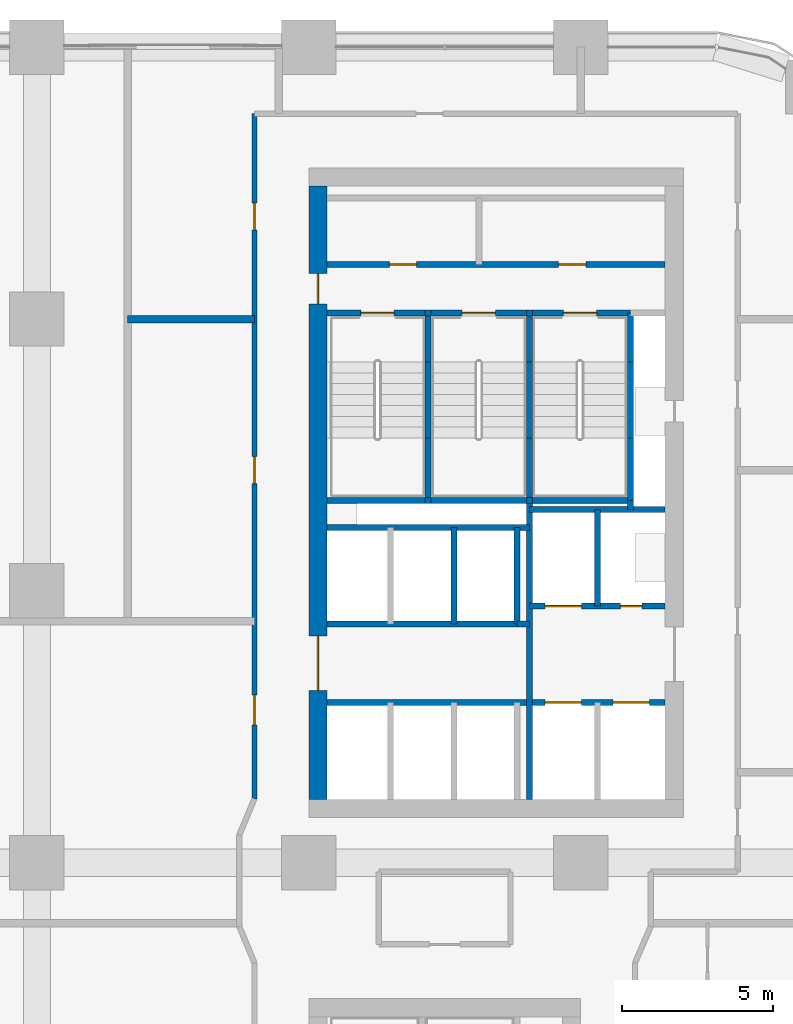
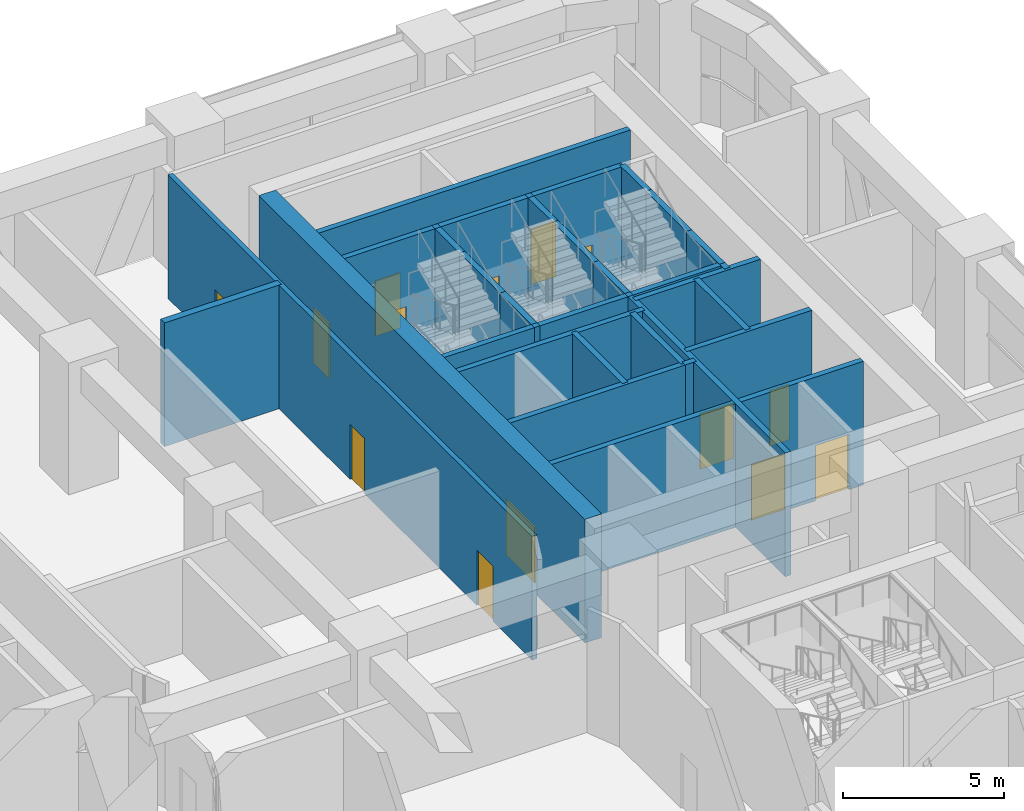
# One storey, part 20 of 26: 34 walls, 14 doors, 14 openings.
"""IFC4 building model written with IfcOpenShell, lengths in metres."""

from ifc_helpers import new_model, si_unit, direction, frame, frame_2d, origin, place, context, subcontext, project, spatial, rectangle, extrude, material, layer, layer_set, type_object, element, fill, save


model = new_model("IFC4")

# Units and contexts
model_context = context("Model", 3, precision=1e-05, world=origin(), true_north=direction((0.0, 1.0)))
body_context = subcontext(model_context, "Body", "Model", "MODEL_VIEW")
ifc_project = project(units=[si_unit("LENGTHUNIT", "METRE"), si_unit("AREAUNIT", "SQUARE_METRE"), si_unit("VOLUMEUNIT", "CUBIC_METRE"), si_unit("PLANEANGLEUNIT", "RADIAN"), si_unit("MASSUNIT", "GRAM", prefix="KILO")], contexts=[model_context])

# Site, building, storey
site_placement = place(None, origin())
site = spatial("IfcSite", under=ifc_project, at=site_placement, CompositionType="ELEMENT")
building_placement = place(site_placement, origin())
building = spatial("IfcBuilding", under=site, at=building_placement, Name="Tessera Arch", CompositionType="ELEMENT")
storey_placement = place(building_placement, frame((0.0, 0.0, 72.800048828125)))
storey = spatial("IfcBuildingStorey", under=building, at=storey_placement, Name="L16", CompositionType="ELEMENT", Elevation=72.800048828125)

# Wall
ifc_material_1 = material(Name="Gypsum board on steel stud", Category="steel")
ifc_layer_1 = layer(ifc_material_1, 0.125)
ifc_layer_set_1 = layer_set([ifc_layer_1], Name="Core partition 125 EI 60")
wall_type_1 = type_object("IfcWallType", Name="Core partition 125 EI 60", PredefinedType="PARTITIONING", material=ifc_layer_set_1)
wall_1_placement = place(storey_placement, frame((42.89990234375, 34.89990234375, 0.0), z_axis=(0.0, 0.0, 1.0), x_axis=(1.0, 0.0, 0.0)))
element("IfcWall", 1, at=wall_1_placement, inside=storey, type_object=wall_type_1, Name="L16 C1 partition wall 22", PredefinedType="PARTITIONING", context=body_context, shape_type="SweptSolid", body=[
    extrude(rectangle(XDim=0.400146484375, YDim=0.199951171875, at=frame_2d((0.2001953125, 0.0))), origin(), (0.0, 0.0, 1.0), 4.699951171875),
])

# Wall, openings, doors
wall_2_placement = place(storey_placement, frame((36.60009765625, 46.800048828125, 0.0), z_axis=(0.0, 0.0, 1.0), x_axis=(1.0, 0.0, 0.0)))
wall_2 = element("IfcWall", 2, at=wall_2_placement, inside=storey, type_object=wall_type_1, Name="L16 C1 partition wall 38", PredefinedType="PARTITIONING", context=body_context, shape_type="SweptSolid", body=[
    extrude(rectangle(XDim=11.199951171875, YDim=0.199951171875, at=frame_2d((5.60009765625, 0.0))), origin(), (0.0, 0.0, 1.0), 4.699951171875),
])
opening_1_placement = place(wall_2_placement, frame((2.070068359375, 0.0, 0.0)))
opening_1 = element("IfcOpeningElement", 3, at=opening_1_placement, cuts=wall_2, Name="Opening L16-C12", PredefinedType="OPENING", context=body_context, shape_type="SweptSolid", body=[
    extrude(rectangle(XDim=0.89990234375, YDim=2.10009765625, at=frame_2d((0.449951171875, 1.050048828125))), frame((0.0, 0.10986328125, 0.0), z_axis=(0.0, -1.0, 0.0), x_axis=(1.0, 0.0, 0.0)), (0.0, 0.0, 1.0), 0.219970703125),
])
opening_2_placement = place(wall_2_placement, frame((7.669921875, 0.0, 0.0)))
opening_2 = element("IfcOpeningElement", 4, at=opening_2_placement, cuts=wall_2, Name="Opening L16-C13", PredefinedType="OPENING", context=body_context, shape_type="SweptSolid", body=[
    extrude(rectangle(XDim=0.89990234375, YDim=2.10009765625, at=frame_2d((0.449951171875, 1.050048828125))), frame((0.0, 0.10986328125, 0.0), z_axis=(0.0, -1.0, 0.0), x_axis=(1.0, 0.0, 0.0)), (0.0, 0.0, 1.0), 0.219970703125),
])
ifc_material_2 = material(Name="Steel door leaf", Category="steel")
door_type_1 = type_object("IfcDoorType", Name="Store door FD30S 900 x 2100", OperationType="SINGLE_SWING_LEFT", PredefinedType="DOOR", material=ifc_material_2)
door_1_placement = place(opening_1_placement, origin())
door_1 = element("IfcDoor", 5, at=door_1_placement, inside=storey, type_object=door_type_1, Name="L16 C1 door 12 C12 type D09", OperationType="SINGLE_SWING_LEFT", OverallHeight=2.10009765625, OverallWidth=0.89990234375, PredefinedType="DOOR", context=body_context, shape_type="SweptSolid", body=[
    extrude(rectangle(XDim=0.89990234375, YDim=2.10009765625, at=frame_2d((0.449951171875, 1.050048828125))), frame((0.0, 0.02490234375, 0.0), z_axis=(0.0, -1.0, 0.0), x_axis=(1.0, 0.0, 0.0)), (0.0, 0.0, 1.0), 0.050048828125),
])
fill(opening_1, door_1)
door_2_placement = place(opening_2_placement, origin())
door_2 = element("IfcDoor", 6, at=door_2_placement, inside=storey, type_object=door_type_1, Name="L16 C1 door 13 C13 type D09", OperationType="SINGLE_SWING_RIGHT", OverallHeight=2.10009765625, OverallWidth=0.89990234375, PredefinedType="DOOR", context=body_context, shape_type="SweptSolid", body=[
    extrude(rectangle(XDim=0.89990234375, YDim=2.10009765625, at=frame_2d((0.449951171875, 1.050048828125))), frame((0.0, 0.02490234375, 0.0), z_axis=(0.0, -1.0, 0.0), x_axis=(1.0, 0.0, 0.0)), (0.0, 0.0, 1.0), 0.050048828125),
])
fill(opening_2, door_2)

ifc_material_3 = material(Name="Concrete C70/85", Category="concrete")
ifc_layer_2 = layer(ifc_material_3, 0.60009765625)
ifc_layer_set_2 = layer_set([ifc_layer_2], Name="Core shell wall 600 C70-85")
wall_type_2 = type_object("IfcWallType", Name="Core shell wall 600 C70-85", PredefinedType="SHEAR", material=ifc_layer_set_2)
wall_3_placement = place(storey_placement, frame((36.300048828125, 29.10009765625, 0.0), z_axis=(0.0, 0.0, 1.0), x_axis=(0.0, 1.0, 0.0)))
wall_3 = element("IfcWall", 7, at=wall_3_placement, inside=storey, type_object=wall_type_2, Name="L16 C1 core wall W", PredefinedType="SHEAR", context=body_context, shape_type="SweptSolid", body=[
    extrude(rectangle(XDim=20.2998046875, YDim=0.60009765625, at=frame_2d((10.14990234375, 0.0))), origin(), (0.0, 0.0, 1.0), 4.699951171875),
])
opening_3_placement = place(wall_3_placement, frame((3.60009765625, 0.0, 0.0)))
opening_3 = element("IfcOpeningElement", 8, at=opening_3_placement, cuts=wall_3, Name="Opening L16-C04", PredefinedType="OPENING", context=body_context, shape_type="SweptSolid", body=[
    extrude(rectangle(XDim=1.800048828125, YDim=2.10009765625, at=frame_2d((0.89990234375, 1.050048828125))), frame((0.0, 0.31005859375, 0.0), z_axis=(0.0, -1.0, 0.0), x_axis=(1.0, 0.0, 0.0)), (0.0, 0.0, 1.0), 0.6201171875),
])
opening_4_placement = place(wall_3_placement, frame((16.39990234375, 0.0, 0.0)))
opening_4 = element("IfcOpeningElement", 9, at=opening_4_placement, cuts=wall_3, Name="Opening L16-C11", PredefinedType="OPENING", context=body_context, shape_type="SweptSolid", body=[
    extrude(rectangle(XDim=1.0, YDim=2.10009765625, at=frame_2d((0.5, 1.050048828125))), frame((0.0, 0.31005859375, 0.0), z_axis=(0.0, -1.0, 0.0), x_axis=(1.0, 0.0, 0.0)), (0.0, 0.0, 1.0), 0.6201171875),
])
ifc_material_4 = material(Name="Steel door leaf", Category="steel")
door_type_2 = type_object("IfcDoorType", Name="Corridor door FD60 1000 x 2100", OperationType="SINGLE_SWING_LEFT", PredefinedType="DOOR", material=ifc_material_4)
door_3_placement = place(opening_4_placement, origin())
door_3 = element("IfcDoor", 10, at=door_3_placement, inside=storey, type_object=door_type_2, Name="L16 C1 door 11 C11 type D12", OperationType="SINGLE_SWING_RIGHT", OverallHeight=2.10009765625, OverallWidth=1.0, PredefinedType="DOOR", context=body_context, shape_type="SweptSolid", body=[
    extrude(rectangle(XDim=1.0, YDim=2.10009765625, at=frame_2d((0.5, 1.050048828125))), frame((0.0, 0.02490234375, 0.0), z_axis=(0.0, -1.0, 0.0), x_axis=(1.0, 0.0, 0.0)), (0.0, 0.0, 1.0), 0.050048828125),
])
fill(opening_4, door_3)
ifc_material_5 = material(Name="Glazed steel door leaf", Category="steel")
door_type_3 = type_object("IfcDoorType", Name="Lobby double door FD30S 1800 x 2100", OperationType="DOUBLE_DOOR_SINGLE_SWING", PredefinedType="DOOR", material=ifc_material_5)
door_4_placement = place(opening_3_placement, origin())
door_4 = element("IfcDoor", 11, at=door_4_placement, inside=storey, type_object=door_type_3, Name="L16 C1 door 4 C04 type D06", OperationType="DOUBLE_DOOR_SINGLE_SWING", OverallHeight=2.10009765625, OverallWidth=1.800048828125, PredefinedType="DOOR", context=body_context, shape_type="SweptSolid", body=[
    extrude(rectangle(XDim=1.800048828125, YDim=2.10009765625, at=frame_2d((0.89990234375, 1.050048828125))), frame((0.0, 0.02490234375, 0.0), z_axis=(0.0, -1.0, 0.0), x_axis=(1.0, 0.0, 0.0)), (0.0, 0.0, 1.0), 0.050048828125),
])
fill(opening_3, door_4)

ifc_material_6 = material(Name="Gypsum board on deep steel stud with mineral wool", Category="steel")
ifc_layer_3 = layer(ifc_material_6, 0.175048828125)
ifc_layer_set_3 = layer_set([ifc_layer_3], Name="Corridor wall 175 EI 60")
wall_type_3 = type_object("IfcWallType", Name="Corridor wall 175 EI 60", PredefinedType="PARTITIONING", material=ifc_layer_set_3)
wall_4_placement = place(storey_placement, frame((34.199951171875, 29.1201171875, 0.0), z_axis=(0.0, 0.0, 1.0), x_axis=(0.0, 1.0, 0.0)))
wall_4 = element("IfcWall", 12, at=wall_4_placement, inside=storey, type_object=wall_type_3, Name="L16 partition 21", PredefinedType="PARTITIONING", context=body_context, shape_type="SweptSolid", body=[
    extrude(rectangle(XDim=22.679931640625, YDim=0.175048828125, at=frame_2d((11.33984375, 0.0))), origin(), (0.0, 0.0, 1.0), 4.699951171875),
])
opening_5_placement = place(wall_4_placement, frame((2.43994140625, 0.0, 0.0)))
opening_5 = element("IfcOpeningElement", 13, at=opening_5_placement, cuts=wall_4, Name="Opening L16-D033", PredefinedType="OPENING", context=body_context, shape_type="SweptSolid", body=[
    extrude(rectangle(XDim=1.0, YDim=2.10009765625, at=frame_2d((0.5, 1.050048828125))), frame((0.0, 0.097412109375, 0.0), z_axis=(0.0, -1.0, 0.0), x_axis=(1.0, 0.0, 0.0)), (0.0, 0.0, 1.0), 0.195068359375),
])
opening_6_placement = place(wall_4_placement, frame((10.429931640625, 0.0, 0.0)))
opening_6 = element("IfcOpeningElement", 14, at=opening_6_placement, cuts=wall_4, Name="Opening L16-D036", PredefinedType="OPENING", context=body_context, shape_type="SweptSolid", body=[
    extrude(rectangle(XDim=0.89990234375, YDim=2.10009765625, at=frame_2d((0.449951171875, 1.050048828125))), frame((0.0, 0.097412109375, 0.0), z_axis=(0.0, -1.0, 0.0), x_axis=(1.0, 0.0, 0.0)), (0.0, 0.0, 1.0), 0.195068359375),
])
opening_7_placement = place(wall_4_placement, frame((18.830078125, 0.0, 0.0)))
opening_7 = element("IfcOpeningElement", 15, at=opening_7_placement, cuts=wall_4, Name="Opening L16-D039", PredefinedType="OPENING", context=body_context, shape_type="SweptSolid", body=[
    extrude(rectangle(XDim=0.89990234375, YDim=2.10009765625, at=frame_2d((0.449951171875, 1.050048828125))), frame((0.0, 0.097412109375, 0.0), z_axis=(0.0, -1.0, 0.0), x_axis=(1.0, 0.0, 0.0)), (0.0, 0.0, 1.0), 0.195068359375),
])
ifc_material_7 = material(Name="Fire-rated door leaf")
door_type_4 = type_object("IfcDoorType", Name="Entrance door FD30S 1000 x 2100", OperationType="SINGLE_SWING_LEFT", PredefinedType="DOOR", material=ifc_material_7)
door_5_placement = place(opening_5_placement, origin())
door_5 = element("IfcDoor", 16, at=door_5_placement, inside=storey, type_object=door_type_4, Name="L16 door D033 type D03", OperationType="SINGLE_SWING_LEFT", OverallHeight=2.10009765625, OverallWidth=1.0, PredefinedType="DOOR", context=body_context, shape_type="SweptSolid", body=[
    extrude(rectangle(XDim=1.0, YDim=2.10009765625, at=frame_2d((0.5, 1.050048828125))), frame((0.0, 0.02490234375, 0.0), z_axis=(0.0, -1.0, 0.0), x_axis=(1.0, 0.0, 0.0)), (0.0, 0.0, 1.0), 0.050048828125),
])
fill(opening_5, door_5)
ifc_material_8 = material(Name="Timber door leaf", Category="wood")
door_type_5 = type_object("IfcDoorType", Name="Room door 900 x 2100", OperationType="SINGLE_SWING_LEFT", PredefinedType="DOOR", material=ifc_material_8)
door_6_placement = place(opening_6_placement, origin())
door_6 = element("IfcDoor", 17, at=door_6_placement, inside=storey, type_object=door_type_5, Name="L16 door D036 type D01", OperationType="SINGLE_SWING_RIGHT", OverallHeight=2.10009765625, OverallWidth=0.89990234375, PredefinedType="DOOR", context=body_context, shape_type="SweptSolid", body=[
    extrude(rectangle(XDim=0.89990234375, YDim=2.10009765625, at=frame_2d((0.449951171875, 1.050048828125))), frame((0.0, 0.02490234375, 0.0), z_axis=(0.0, -1.0, 0.0), x_axis=(1.0, 0.0, 0.0)), (0.0, 0.0, 1.0), 0.050048828125),
])
fill(opening_6, door_6)
door_7_placement = place(opening_7_placement, origin())
door_7 = element("IfcDoor", 18, at=door_7_placement, inside=storey, type_object=door_type_5, Name="L16 door D039 type D01", OperationType="SINGLE_SWING_LEFT", OverallHeight=2.10009765625, OverallWidth=0.89990234375, PredefinedType="DOOR", context=body_context, shape_type="SweptSolid", body=[
    extrude(rectangle(XDim=0.89990234375, YDim=2.10009765625, at=frame_2d((0.449951171875, 1.050048828125))), frame((0.0, 0.02490234375, 0.0), z_axis=(0.0, -1.0, 0.0), x_axis=(1.0, 0.0, 0.0)), (0.0, 0.0, 1.0), 0.050048828125),
])
fill(opening_7, door_7)

# Walls
ifc_material_9 = material(Name="Double gypsum board on twin steel stud with acoustic mineral wool", Category="steel")
ifc_layer_4 = layer(ifc_material_9, 0.25)
ifc_layer_set_4 = layer_set([ifc_layer_4], Name="Party wall 250 EI 60")
wall_type_4 = type_object("IfcWallType", Name="Party wall 250 EI 60", PredefinedType="PARTITIONING", material=ifc_layer_set_4)
wall_5_placement = place(storey_placement, frame((30.0, 45.0, 0.0), z_axis=(0.0, 0.0, 1.0), x_axis=(1.0, 0.0, 0.0)))
element("IfcWall", 19, at=wall_5_placement, inside=storey, type_object=wall_type_4, Name="L16 partition 49", PredefinedType="PARTITIONING", context=body_context, shape_type="SweptSolid", body=[
    extrude(rectangle(XDim=4.199951171875, YDim=0.25, at=frame_2d((2.10009765625, 0.0))), origin(), (0.0, 0.0, 1.0), 4.699951171875),
])
ifc_material_10 = material(Name="Concrete C40/50", Category="concrete")
ifc_layer_5 = layer(ifc_material_10, 0.199951171875)
ifc_layer_set_5 = layer_set([ifc_layer_5], Name="Shaft wall 200 EI 120")
wall_type_5 = type_object("IfcWallType", Name="Shaft wall 200 EI 120", PredefinedType="SOLIDWALL", material=ifc_layer_set_5)
for number, where, z_axis, x_axis, name in (
    (20, (40.800048828125, 34.89990234375, 0.0), (0.0, 0.0, 1.0), (0.0, 1.0, 0.0), "L16 C1 shaft wall 7"),
    (21, (42.89990234375, 34.89990234375, 0.0), (0.0, 0.0, 1.0), (0.0, 1.0, 0.0), "L16 C1 shaft wall 10"),
):
    element("IfcWall", number, at=place(storey_placement, frame(where, z_axis=z_axis, x_axis=x_axis)), inside=storey, type_object=wall_type_5, Name=name, PredefinedType="SOLIDWALL", context=body_context, shape_type="SweptSolid", body=[
        extrude(rectangle(XDim=3.2001953125, YDim=0.199951171875, at=frame_2d((1.60009765625, 0.0))), origin(), (0.0, 0.0, 1.0), 4.699951171875),
    ])
wall_6_placement = place(storey_placement, frame((43.300048828125, 29.10009765625, 0.0), z_axis=(0.0, 0.0, 1.0), x_axis=(0.0, 1.0, 0.0)))
element("IfcWall", 22, at=wall_6_placement, inside=storey, type_object=wall_type_5, Name="L16 C1 shaft wall 11", PredefinedType="SOLIDWALL", context=body_context, shape_type="SweptSolid", body=[
    extrude(rectangle(XDim=9.89990234375, YDim=0.199951171875, at=frame_2d((4.949951171875, 0.0))), origin(), (0.0, 0.0, 1.0), 4.699951171875),
])
wall_7_placement = place(storey_placement, frame((45.550048828125, 35.5, 0.0), z_axis=(0.0, 0.0, 1.0), x_axis=(0.0, 1.0, 0.0)))
element("IfcWall", 23, at=wall_7_placement, inside=storey, type_object=wall_type_5, Name="L16 C1 shaft wall 16", PredefinedType="SOLIDWALL", context=body_context, shape_type="SweptSolid", body=[
    extrude(rectangle(XDim=3.199951171875, YDim=0.199951171875, at=frame_2d((1.60009765625, 0.0))), origin(), (0.0, 0.0, 1.0), 4.699951171875),
])
wall_8_placement = place(storey_placement, frame((46.64990234375, 38.699951171875, 0.0), z_axis=(0.0, 0.0, 1.0), x_axis=(0.0, 1.0, 0.0)))
element("IfcWall", 24, at=wall_8_placement, inside=storey, type_object=wall_type_5, Name="L16 C1 shaft wall 17", PredefinedType="SOLIDWALL", context=body_context, shape_type="SweptSolid", body=[
    extrude(rectangle(XDim=0.300048828125, YDim=0.199951171875, at=frame_2d((0.14990234375, 0.0))), origin(), (0.0, 0.0, 1.0), 4.699951171875),
])

# Wall, openings, doors
wall_9_placement = place(storey_placement, frame((36.60009765625, 32.300048828125, 0.0), z_axis=(0.0, 0.0, 1.0), x_axis=(1.0, 0.0, 0.0)))
wall_9 = element("IfcWall", 25, at=wall_9_placement, inside=storey, type_object=wall_type_5, Name="L16 C1 shaft wall 21", PredefinedType="SOLIDWALL", context=body_context, shape_type="SweptSolid", body=[
    extrude(rectangle(XDim=11.199951171875, YDim=0.199951171875, at=frame_2d((5.60009765625, 0.0))), origin(), (0.0, 0.0, 1.0), 4.699951171875),
])
opening_8_placement = place(wall_9_placement, frame((7.22509765625, 0.0, 0.0)))
opening_8 = element("IfcOpeningElement", 26, at=opening_8_placement, cuts=wall_9, Name="Opening L16-C01", PredefinedType="OPENING", context=body_context, shape_type="SweptSolid", body=[
    extrude(rectangle(XDim=1.199951171875, YDim=2.10009765625, at=frame_2d((0.60009765625, 1.050048828125))), frame((0.0, 0.10986328125, 0.0), z_axis=(0.0, -1.0, 0.0), x_axis=(1.0, 0.0, 0.0)), (0.0, 0.0, 1.0), 0.219970703125),
])
opening_9_placement = place(wall_9_placement, frame((9.47509765625, 0.0, 0.0)))
opening_9 = element("IfcOpeningElement", 27, at=opening_9_placement, cuts=wall_9, Name="Opening L16-C02", PredefinedType="OPENING", context=body_context, shape_type="SweptSolid", body=[
    extrude(rectangle(XDim=1.199951171875, YDim=2.10009765625, at=frame_2d((0.60009765625, 1.050048828125))), frame((0.0, 0.10986328125, 0.0), z_axis=(0.0, -1.0, 0.0), x_axis=(1.0, 0.0, 0.0)), (0.0, 0.0, 1.0), 0.219970703125),
])
ifc_material_11 = material(Name="Stainless steel AISI 304", Category="steel")
door_type_6 = type_object("IfcDoorType", Name="Sliding landing door 1200 x 2100", OperationType="SLIDING_TO_LEFT", PredefinedType="DOOR", material=ifc_material_11)
door_8_placement = place(opening_8_placement, origin())
door_8 = element("IfcDoor", 28, at=door_8_placement, inside=storey, type_object=door_type_6, Name="L16 FF1 lift landing door C01 type LD", OperationType="SLIDING_TO_LEFT", OverallHeight=2.10009765625, OverallWidth=1.199951171875, PredefinedType="DOOR", context=body_context, shape_type="SweptSolid", body=[
    extrude(rectangle(XDim=1.199951171875, YDim=2.10009765625, at=frame_2d((0.60009765625, 1.050048828125))), frame((0.0, 0.02490234375, 0.0), z_axis=(0.0, -1.0, 0.0), x_axis=(1.0, 0.0, 0.0)), (0.0, 0.0, 1.0), 0.050048828125),
])
fill(opening_8, door_8)
door_9_placement = place(opening_9_placement, origin())
door_9 = element("IfcDoor", 29, at=door_9_placement, inside=storey, type_object=door_type_6, Name="L16 FF2 lift landing door C02 type LD", OperationType="SLIDING_TO_LEFT", OverallHeight=2.10009765625, OverallWidth=1.199951171875, PredefinedType="DOOR", context=body_context, shape_type="SweptSolid", body=[
    extrude(rectangle(XDim=1.199951171875, YDim=2.10009765625, at=frame_2d((0.60009765625, 1.050048828125))), frame((0.0, 0.02490234375, 0.0), z_axis=(0.0, -1.0, 0.0), x_axis=(1.0, 0.0, 0.0)), (0.0, 0.0, 1.0), 0.050048828125),
])
fill(opening_9, door_9)

# Wall
wall_10_placement = place(storey_placement, frame((36.60009765625, 34.89990234375, 0.0), z_axis=(0.0, 0.0, 1.0), x_axis=(1.0, 0.0, 0.0)))
element("IfcWall", 30, at=wall_10_placement, inside=storey, type_object=wall_type_5, Name="L16 C1 shaft wall 23", PredefinedType="SOLIDWALL", context=body_context, shape_type="SweptSolid", body=[
    extrude(rectangle(XDim=6.2998046875, YDim=0.199951171875, at=frame_2d((3.14990234375, 0.0))), origin(), (0.0, 0.0, 1.0), 4.699951171875),
])

# Wall, openings, doors
wall_11_placement = place(storey_placement, frame((43.300048828125, 35.5, 0.0), z_axis=(0.0, 0.0, 1.0), x_axis=(1.0, 0.0, 0.0)))
wall_11 = element("IfcWall", 31, at=wall_11_placement, inside=storey, type_object=wall_type_5, Name="L16 C1 shaft wall 24", PredefinedType="SOLIDWALL", context=body_context, shape_type="SweptSolid", body=[
    extrude(rectangle(XDim=4.5, YDim=0.199951171875, at=frame_2d((2.25, 0.0))), origin(), (0.0, 0.0, 1.0), 4.699951171875),
])
opening_10_placement = place(wall_11_placement, frame((0.52490234375, 0.0, 0.0)))
opening_10 = element("IfcOpeningElement", 32, at=opening_10_placement, cuts=wall_11, Name="Opening L16-C03", PredefinedType="OPENING", context=body_context, shape_type="SweptSolid", body=[
    extrude(rectangle(XDim=1.199951171875, YDim=2.10009765625, at=frame_2d((0.60009765625, 1.050048828125))), frame((0.0, 0.10986328125, 0.0), z_axis=(0.0, -1.0, 0.0), x_axis=(1.0, 0.0, 0.0)), (0.0, 0.0, 1.0), 0.219970703125),
])
opening_11_placement = place(wall_11_placement, frame((3.02490234375, 0.0, 0.0)))
opening_11 = element("IfcOpeningElement", 33, at=opening_11_placement, cuts=wall_11, Name="Opening L16-C10", PredefinedType="OPENING", context=body_context, shape_type="SweptSolid", body=[
    extrude(rectangle(XDim=0.699951171875, YDim=2.10009765625, at=frame_2d((0.35009765625, 1.050048828125))), frame((0.0, 0.10986328125, 0.0), z_axis=(0.0, -1.0, 0.0), x_axis=(1.0, 0.0, 0.0)), (0.0, 0.0, 1.0), 0.219970703125),
])
ifc_material_12 = material(Name="Steel door leaf", Category="steel")
door_type_7 = type_object("IfcDoorType", Name="Service shaft door FD60 700 x 2100", OperationType="SINGLE_SWING_LEFT", PredefinedType="DOOR", material=ifc_material_12)
door_10_placement = place(opening_11_placement, origin())
door_10 = element("IfcDoor", 34, at=door_10_placement, inside=storey, type_object=door_type_7, Name="L16 C1 door 10 C10 type D07", OperationType="SINGLE_SWING_RIGHT", OverallHeight=2.10009765625, OverallWidth=0.699951171875, PredefinedType="DOOR", context=body_context, shape_type="SweptSolid", body=[
    extrude(rectangle(XDim=0.699951171875, YDim=2.10009765625, at=frame_2d((0.35009765625, 1.050048828125))), frame((0.0, 0.02490234375, 0.0), z_axis=(0.0, -1.0, 0.0), x_axis=(1.0, 0.0, 0.0)), (0.0, 0.0, 1.0), 0.050048828125),
])
fill(opening_11, door_10)
door_11_placement = place(opening_10_placement, origin())
door_11 = element("IfcDoor", 35, at=door_11_placement, inside=storey, type_object=door_type_6, Name="L16 SV2 lift landing door C03 type LD", OperationType="SLIDING_TO_LEFT", OverallHeight=2.10009765625, OverallWidth=1.199951171875, PredefinedType="DOOR", context=body_context, shape_type="SweptSolid", body=[
    extrude(rectangle(XDim=1.199951171875, YDim=2.10009765625, at=frame_2d((0.60009765625, 1.050048828125))), frame((0.0, 0.02490234375, 0.0), z_axis=(0.0, -1.0, 0.0), x_axis=(1.0, 0.0, 0.0)), (0.0, 0.0, 1.0), 0.050048828125),
])
fill(opening_10, door_11)

# Walls
wall_12_placement = place(storey_placement, frame((36.60009765625, 38.10009765625, 0.0), z_axis=(0.0, 0.0, 1.0), x_axis=(1.0, 0.0, 0.0)))
element("IfcWall", 36, at=wall_12_placement, inside=storey, type_object=wall_type_5, Name="L16 C1 shaft wall 25", PredefinedType="SOLIDWALL", context=body_context, shape_type="SweptSolid", body=[
    extrude(rectangle(XDim=6.699951171875, YDim=0.199951171875, at=frame_2d((3.35009765625, 0.0))), origin(), (0.0, 0.0, 1.0), 4.699951171875),
])
wall_13_placement = place(storey_placement, frame((43.300048828125, 38.699951171875, 0.0), z_axis=(0.0, 0.0, 1.0), x_axis=(1.0, 0.0, 0.0)))
element("IfcWall", 37, at=wall_13_placement, inside=storey, type_object=wall_type_5, Name="L16 C1 shaft wall 26", PredefinedType="SOLIDWALL", context=body_context, shape_type="SweptSolid", body=[
    extrude(rectangle(XDim=4.5, YDim=0.199951171875, at=frame_2d((2.25, 0.0))), origin(), (0.0, 0.0, 1.0), 4.699951171875),
])
ifc_material_13 = material(Name="Concrete C40/50", Category="concrete")
ifc_layer_6 = layer(ifc_material_13, 0.199951171875)
ifc_layer_set_6 = layer_set([ifc_layer_6], Name="Stair well wall 200 REI 180")
wall_type_6 = type_object("IfcWallType", Name="Stair well wall 200 REI 180", PredefinedType="SOLIDWALL", material=ifc_layer_set_6)
wall_14_placement = place(storey_placement, frame((39.949951171875, 39.0, 0.0), z_axis=(0.0, 0.0, 1.0), x_axis=(0.0, 1.0, 0.0)))
element("IfcWall", 38, at=wall_14_placement, inside=storey, type_object=wall_type_6, Name="L16 C1 shaft wall 3", PredefinedType="SOLIDWALL", context=body_context, shape_type="SweptSolid", body=[
    extrude(rectangle(XDim=2.06005859375, YDim=0.199951171875, at=frame_2d((1.030029296875, 0.0))), origin(), (0.0, 0.0, 1.0), 4.699951171875),
])
wall_15_placement = place(storey_placement, frame((39.949951171875, 41.06005859375, 0.0), z_axis=(0.0, 0.0, 1.0), x_axis=(0.0, 1.0, 0.0)))
element("IfcWall", 39, at=wall_15_placement, inside=storey, type_object=wall_type_6, Name="L16 C1 shaft wall 4", PredefinedType="SOLIDWALL", context=body_context, shape_type="SweptSolid", body=[
    extrude(rectangle(XDim=2.52001953125, YDim=0.199951171875, at=frame_2d((1.260009765625, 0.0))), origin(), (0.0, 0.0, 1.0), 4.699951171875),
])
wall_16_placement = place(storey_placement, frame((39.949951171875, 43.580078125, 0.0), z_axis=(0.0, 0.0, 1.0), x_axis=(0.0, 1.0, 0.0)))
element("IfcWall", 40, at=wall_16_placement, inside=storey, type_object=wall_type_6, Name="L16 C1 shaft wall 5", PredefinedType="SOLIDWALL", context=body_context, shape_type="SweptSolid", body=[
    extrude(rectangle(XDim=1.619873046875, YDim=0.199951171875, at=frame_2d((0.81005859375, 0.0))), origin(), (0.0, 0.0, 1.0), 4.699951171875),
])
wall_17_placement = place(storey_placement, frame((43.300048828125, 39.0, 0.0), z_axis=(0.0, 0.0, 1.0), x_axis=(0.0, 1.0, 0.0)))
element("IfcWall", 41, at=wall_17_placement, inside=storey, type_object=wall_type_6, Name="L16 C1 shaft wall 12", PredefinedType="SOLIDWALL", context=body_context, shape_type="SweptSolid", body=[
    extrude(rectangle(XDim=2.06005859375, YDim=0.199951171875, at=frame_2d((1.030029296875, 0.0))), origin(), (0.0, 0.0, 1.0), 4.699951171875),
])
wall_18_placement = place(storey_placement, frame((43.300048828125, 41.06005859375, 0.0), z_axis=(0.0, 0.0, 1.0), x_axis=(0.0, 1.0, 0.0)))
element("IfcWall", 42, at=wall_18_placement, inside=storey, type_object=wall_type_6, Name="L16 C1 shaft wall 13", PredefinedType="SOLIDWALL", context=body_context, shape_type="SweptSolid", body=[
    extrude(rectangle(XDim=2.52001953125, YDim=0.199951171875, at=frame_2d((1.260009765625, 0.0))), origin(), (0.0, 0.0, 1.0), 4.699951171875),
])
wall_19_placement = place(storey_placement, frame((43.300048828125, 43.580078125, 0.0), z_axis=(0.0, 0.0, 1.0), x_axis=(0.0, 1.0, 0.0)))
element("IfcWall", 43, at=wall_19_placement, inside=storey, type_object=wall_type_6, Name="L16 C1 shaft wall 14", PredefinedType="SOLIDWALL", context=body_context, shape_type="SweptSolid", body=[
    extrude(rectangle(XDim=1.619873046875, YDim=0.199951171875, at=frame_2d((0.81005859375, 0.0))), origin(), (0.0, 0.0, 1.0), 4.699951171875),
])
wall_20_placement = place(storey_placement, frame((46.64990234375, 39.0, 0.0), z_axis=(0.0, 0.0, 1.0), x_axis=(0.0, 1.0, 0.0)))
element("IfcWall", 44, at=wall_20_placement, inside=storey, type_object=wall_type_6, Name="L16 C1 shaft wall 18", PredefinedType="SOLIDWALL", context=body_context, shape_type="SweptSolid", body=[
    extrude(rectangle(XDim=2.06005859375, YDim=0.199951171875, at=frame_2d((1.030029296875, 0.0))), origin(), (0.0, 0.0, 1.0), 4.699951171875),
])
wall_21_placement = place(storey_placement, frame((46.64990234375, 41.06005859375, 0.0), z_axis=(0.0, 0.0, 1.0), x_axis=(0.0, 1.0, 0.0)))
element("IfcWall", 45, at=wall_21_placement, inside=storey, type_object=wall_type_6, Name="L16 C1 shaft wall 19", PredefinedType="SOLIDWALL", context=body_context, shape_type="SweptSolid", body=[
    extrude(rectangle(XDim=2.52001953125, YDim=0.199951171875, at=frame_2d((1.260009765625, 0.0))), origin(), (0.0, 0.0, 1.0), 4.699951171875),
])
wall_22_placement = place(storey_placement, frame((46.64990234375, 43.580078125, 0.0), z_axis=(0.0, 0.0, 1.0), x_axis=(0.0, 1.0, 0.0)))
element("IfcWall", 46, at=wall_22_placement, inside=storey, type_object=wall_type_6, Name="L16 C1 shaft wall 20", PredefinedType="SOLIDWALL", context=body_context, shape_type="SweptSolid", body=[
    extrude(rectangle(XDim=1.619873046875, YDim=0.199951171875, at=frame_2d((0.81005859375, 0.0))), origin(), (0.0, 0.0, 1.0), 4.699951171875),
])
wall_23_placement = place(storey_placement, frame((36.60009765625, 39.0, 0.0), z_axis=(0.0, 0.0, 1.0), x_axis=(1.0, 0.0, 0.0)))
element("IfcWall", 47, at=wall_23_placement, inside=storey, type_object=wall_type_6, Name="L16 C1 shaft wall 27", PredefinedType="SOLIDWALL", context=body_context, shape_type="SweptSolid", body=[
    extrude(rectangle(XDim=3.25, YDim=0.199951171875, at=frame_2d((1.625, 0.0))), origin(), (0.0, 0.0, 1.0), 4.699951171875),
])
wall_24_placement = place(storey_placement, frame((39.85009765625, 39.0, 0.0), z_axis=(0.0, 0.0, 1.0), x_axis=(1.0, 0.0, 0.0)))
element("IfcWall", 48, at=wall_24_placement, inside=storey, type_object=wall_type_6, Name="L16 C1 shaft wall 28", PredefinedType="SOLIDWALL", context=body_context, shape_type="SweptSolid", body=[
    extrude(rectangle(XDim=0.199951171875, YDim=0.199951171875, at=frame_2d((0.10009765625, 0.0))), origin(), (0.0, 0.0, 1.0), 4.699951171875),
])
wall_25_placement = place(storey_placement, frame((40.050048828125, 39.0, 0.0), z_axis=(0.0, 0.0, 1.0), x_axis=(1.0, 0.0, 0.0)))
element("IfcWall", 49, at=wall_25_placement, inside=storey, type_object=wall_type_6, Name="L16 C1 shaft wall 29", PredefinedType="SOLIDWALL", context=body_context, shape_type="SweptSolid", body=[
    extrude(rectangle(XDim=3.14990234375, YDim=0.199951171875, at=frame_2d((1.574951171875, 0.0))), origin(), (0.0, 0.0, 1.0), 4.699951171875),
])
wall_26_placement = place(storey_placement, frame((43.199951171875, 39.0, 0.0), z_axis=(0.0, 0.0, 1.0), x_axis=(1.0, 0.0, 0.0)))
element("IfcWall", 50, at=wall_26_placement, inside=storey, type_object=wall_type_6, Name="L16 C1 shaft wall 30", PredefinedType="SOLIDWALL", context=body_context, shape_type="SweptSolid", body=[
    extrude(rectangle(XDim=0.199951171875, YDim=0.199951171875, at=frame_2d((0.10009765625, 0.0))), origin(), (0.0, 0.0, 1.0), 4.699951171875),
])
wall_27_placement = place(storey_placement, frame((43.39990234375, 39.0, 0.0), z_axis=(0.0, 0.0, 1.0), x_axis=(1.0, 0.0, 0.0)))
element("IfcWall", 51, at=wall_27_placement, inside=storey, type_object=wall_type_6, Name="L16 C1 shaft wall 31", PredefinedType="SOLIDWALL", context=body_context, shape_type="SweptSolid", body=[
    extrude(rectangle(XDim=3.25, YDim=0.199951171875, at=frame_2d((1.625, 0.0))), origin(), (0.0, 0.0, 1.0), 4.699951171875),
])

# Wall, opening, door
wall_28_placement = place(storey_placement, frame((36.60009765625, 45.199951171875, 0.0), z_axis=(0.0, 0.0, 1.0), x_axis=(1.0, 0.0, 0.0)))
wall_28 = element("IfcWall", 52, at=wall_28_placement, inside=storey, type_object=wall_type_6, Name="L16 C1 shaft wall 33", PredefinedType="SOLIDWALL", context=body_context, shape_type="SweptSolid", body=[
    extrude(rectangle(XDim=3.25, YDim=0.199951171875, at=frame_2d((1.625, 0.0))), origin(), (0.0, 0.0, 1.0), 4.699951171875),
])
opening_12_placement = place(wall_28_placement, frame((1.125, 0.0, 0.0)))
opening_12 = element("IfcOpeningElement", 53, at=opening_12_placement, cuts=wall_28, Name="Opening L16-C05", PredefinedType="OPENING", context=body_context, shape_type="SweptSolid", body=[
    extrude(rectangle(XDim=1.10009765625, YDim=2.10009765625, at=frame_2d((0.550048828125, 1.050048828125))), frame((0.0, 0.10986328125, 0.0), z_axis=(0.0, -1.0, 0.0), x_axis=(1.0, 0.0, 0.0)), (0.0, 0.0, 1.0), 0.219970703125),
])
ifc_material_14 = material(Name="Steel door leaf", Category="steel")
door_type_8 = type_object("IfcDoorType", Name="Stair door FD60 1100 x 2100", OperationType="SINGLE_SWING_LEFT", PredefinedType="DOOR", material=ifc_material_14)
door_12_placement = place(opening_12_placement, origin())
door_12 = element("IfcDoor", 54, at=door_12_placement, inside=storey, type_object=door_type_8, Name="L16 C1 door 5 C05 type D05", OperationType="SINGLE_SWING_RIGHT", OverallHeight=2.10009765625, OverallWidth=1.10009765625, PredefinedType="DOOR", context=body_context, shape_type="SweptSolid", body=[
    extrude(rectangle(XDim=1.10009765625, YDim=2.10009765625, at=frame_2d((0.550048828125, 1.050048828125))), frame((0.0, 0.02490234375, 0.0), z_axis=(0.0, -1.0, 0.0), x_axis=(1.0, 0.0, 0.0)), (0.0, 0.0, 1.0), 0.050048828125),
])
fill(opening_12, door_12)

# Wall
wall_29_placement = place(storey_placement, frame((39.85009765625, 45.199951171875, 0.0), z_axis=(0.0, 0.0, 1.0), x_axis=(1.0, 0.0, 0.0)))
element("IfcWall", 55, at=wall_29_placement, inside=storey, type_object=wall_type_6, Name="L16 C1 shaft wall 34", PredefinedType="SOLIDWALL", context=body_context, shape_type="SweptSolid", body=[
    extrude(rectangle(XDim=0.199951171875, YDim=0.199951171875, at=frame_2d((0.10009765625, 0.0))), origin(), (0.0, 0.0, 1.0), 4.699951171875),
])

# Wall, opening, door
wall_30_placement = place(storey_placement, frame((40.050048828125, 45.199951171875, 0.0), z_axis=(0.0, 0.0, 1.0), x_axis=(1.0, 0.0, 0.0)))
wall_30 = element("IfcWall", 56, at=wall_30_placement, inside=storey, type_object=wall_type_6, Name="L16 C1 shaft wall 35", PredefinedType="SOLIDWALL", context=body_context, shape_type="SweptSolid", body=[
    extrude(rectangle(XDim=3.14990234375, YDim=0.199951171875, at=frame_2d((1.574951171875, 0.0))), origin(), (0.0, 0.0, 1.0), 4.699951171875),
])
opening_13_placement = place(wall_30_placement, frame((1.02490234375, 0.0, 0.0)))
opening_13 = element("IfcOpeningElement", 57, at=opening_13_placement, cuts=wall_30, Name="Opening L16-C06", PredefinedType="OPENING", context=body_context, shape_type="SweptSolid", body=[
    extrude(rectangle(XDim=1.10009765625, YDim=2.10009765625, at=frame_2d((0.550048828125, 1.050048828125))), frame((0.0, 0.10986328125, 0.0), z_axis=(0.0, -1.0, 0.0), x_axis=(1.0, 0.0, 0.0)), (0.0, 0.0, 1.0), 0.219970703125),
])
door_13_placement = place(opening_13_placement, origin())
door_13 = element("IfcDoor", 58, at=door_13_placement, inside=storey, type_object=door_type_8, Name="L16 C1 door 6 C06 type D05", OperationType="SINGLE_SWING_LEFT", OverallHeight=2.10009765625, OverallWidth=1.10009765625, PredefinedType="DOOR", context=body_context, shape_type="SweptSolid", body=[
    extrude(rectangle(XDim=1.10009765625, YDim=2.10009765625, at=frame_2d((0.550048828125, 1.050048828125))), frame((0.0, 0.02490234375, 0.0), z_axis=(0.0, -1.0, 0.0), x_axis=(1.0, 0.0, 0.0)), (0.0, 0.0, 1.0), 0.050048828125),
])
fill(opening_13, door_13)

# Wall
wall_31_placement = place(storey_placement, frame((43.199951171875, 45.199951171875, 0.0), z_axis=(0.0, 0.0, 1.0), x_axis=(1.0, 0.0, 0.0)))
element("IfcWall", 59, at=wall_31_placement, inside=storey, type_object=wall_type_6, Name="L16 C1 shaft wall 36", PredefinedType="SOLIDWALL", context=body_context, shape_type="SweptSolid", body=[
    extrude(rectangle(XDim=0.199951171875, YDim=0.199951171875, at=frame_2d((0.10009765625, 0.0))), origin(), (0.0, 0.0, 1.0), 4.699951171875),
])

# Wall, opening, door
wall_32_placement = place(storey_placement, frame((43.39990234375, 45.199951171875, 0.0), z_axis=(0.0, 0.0, 1.0), x_axis=(1.0, 0.0, 0.0)))
wall_32 = element("IfcWall", 60, at=wall_32_placement, inside=storey, type_object=wall_type_6, Name="L16 C1 shaft wall 37", PredefinedType="SOLIDWALL", context=body_context, shape_type="SweptSolid", body=[
    extrude(rectangle(XDim=3.25, YDim=0.199951171875, at=frame_2d((1.625, 0.0))), origin(), (0.0, 0.0, 1.0), 4.699951171875),
])
opening_14_placement = place(wall_32_placement, frame((1.02490234375, 0.0, 0.0)))
opening_14 = element("IfcOpeningElement", 61, at=opening_14_placement, cuts=wall_32, Name="Opening L16-C07", PredefinedType="OPENING", context=body_context, shape_type="SweptSolid", body=[
    extrude(rectangle(XDim=1.10009765625, YDim=2.10009765625, at=frame_2d((0.550048828125, 1.050048828125))), frame((0.0, 0.10986328125, 0.0), z_axis=(0.0, -1.0, 0.0), x_axis=(1.0, 0.0, 0.0)), (0.0, 0.0, 1.0), 0.219970703125),
])
door_14_placement = place(opening_14_placement, origin())
door_14 = element("IfcDoor", 62, at=door_14_placement, inside=storey, type_object=door_type_8, Name="L16 C1 door 7 C07 type D05", OperationType="SINGLE_SWING_LEFT", OverallHeight=2.10009765625, OverallWidth=1.10009765625, PredefinedType="DOOR", context=body_context, shape_type="SweptSolid", body=[
    extrude(rectangle(XDim=1.10009765625, YDim=2.10009765625, at=frame_2d((0.550048828125, 1.050048828125))), frame((0.0, 0.02490234375, 0.0), z_axis=(0.0, -1.0, 0.0), x_axis=(1.0, 0.0, 0.0)), (0.0, 0.0, 1.0), 0.050048828125),
])
fill(opening_14, door_14)

save(model, "model.ifc")
